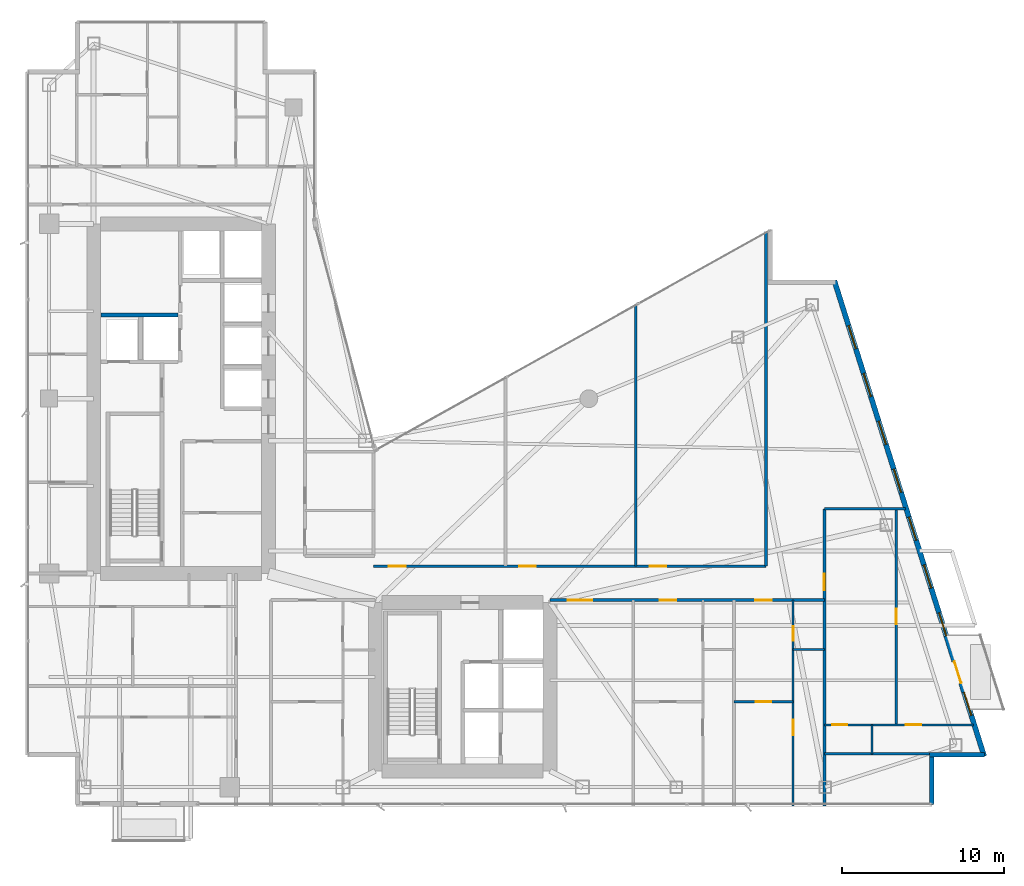
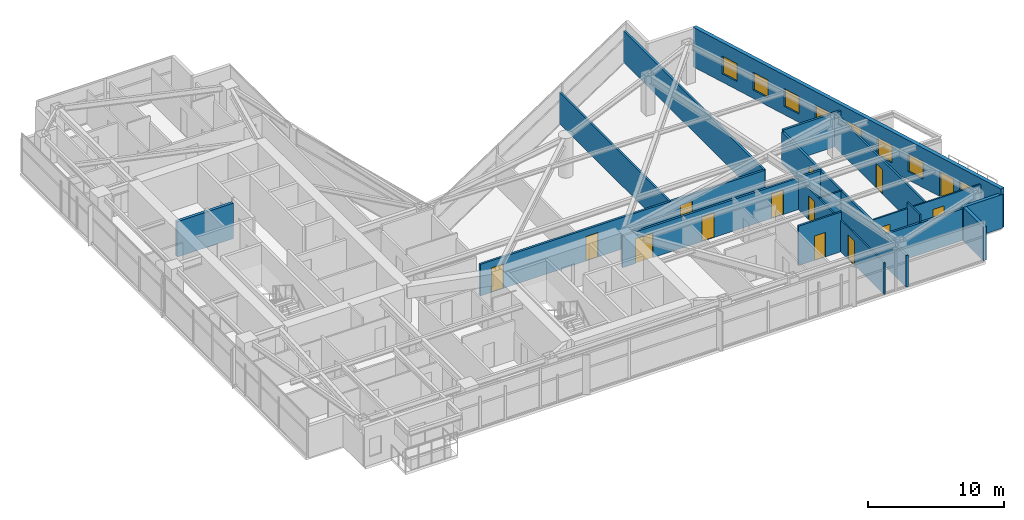
# One storey, part 24 of 29: 17 walls, 14 doors, 8 windows, 22 openings.
"""IFC4 building model written with IfcOpenShell, lengths in metres."""

from ifc_helpers import new_model, si_unit, direction, frame, frame_2d, origin, place, context, subcontext, project, spatial, rectangle, extrude, material, layer, layer_set, type_object, element, fill, save


model = new_model("IFC4")

# Units and contexts
model_context = context("Model", 3, precision=1e-05, world=origin(), true_north=direction((0.0, 1.0)))
body_context = subcontext(model_context, "Body", "Model", "MODEL_VIEW")
ifc_project = project(units=[si_unit("LENGTHUNIT", "METRE"), si_unit("AREAUNIT", "SQUARE_METRE"), si_unit("VOLUMEUNIT", "CUBIC_METRE"), si_unit("PLANEANGLEUNIT", "RADIAN"), si_unit("MASSUNIT", "GRAM", prefix="KILO")], contexts=[model_context])

# Site, building, storey
site_placement = place(None, origin())
site = spatial("IfcSite", under=ifc_project, at=site_placement, CompositionType="ELEMENT")
building_placement = place(site_placement, origin())
building = spatial("IfcBuilding", under=site, at=building_placement, Name="Calvorn Quay Hotel", CompositionType="ELEMENT")
storey_placement = place(building_placement, frame((0.0, 0.0, 124.0)))
storey = spatial("IfcBuildingStorey", under=building, at=storey_placement, Name="L30", CompositionType="ELEMENT", Elevation=124.0)

# Wall, openings, doors
ifc_material_1 = material(Name="Acoustic Fireboard Steel-Stud Partition", Category="steel")
ifc_layer_1 = layer(ifc_material_1, 0.179931640625)
ifc_layer_set_1 = layer_set([ifc_layer_1], Name="WL-CORR-FIRE-180")
wall_type_1 = type_object("IfcWallType", Name="WL-CORR-FIRE-180", PredefinedType="PARTITIONING", material=ifc_layer_set_1)
wall_1_placement = place(storey_placement, frame((32.39990234375, 15.14990234375, 0.0), z_axis=(0.0, 0.0, 1.0), x_axis=(1.0, 0.0, 0.0)))
wall_1 = element("IfcWall", 1, at=wall_1_placement, inside=storey, type_object=wall_type_1, Name="Partition Wall L30-WL-CORR-SE-S", PredefinedType="PARTITIONING", context=body_context, shape_type="SweptSolid", body=[
    extrude(rectangle(XDim=16.9501953125, YDim=0.179931640625, at=frame_2d((8.47509765625, 0.0))), origin(), (0.0, 0.0, 1.0), 2.840087890625),
])
opening_1_placement = place(wall_1_placement, frame((1.10009765625, 0.0, 0.0)))
opening_1 = element("IfcOpeningElement", 2, at=opening_1_placement, cuts=wall_1, Name="Opening D-L30-SEM", PredefinedType="OPENING", context=body_context, shape_type="SweptSolid", body=[
    extrude(rectangle(XDim=1.5, YDim=2.219970703125, at=frame_2d((0.75, 1.10986328125))), frame((0.0, 0.099853515625, 0.0), z_axis=(0.0, -1.0, 0.0), x_axis=(1.0, 0.0, 0.0)), (0.0, 0.0, 1.0), 0.199951171875),
])
opening_2_placement = place(wall_1_placement, frame((6.780029296875, 0.0, 0.0)))
opening_2 = element("IfcOpeningElement", 3, at=opening_2_placement, cuts=wall_1, Name="Opening D-L30-U06", PredefinedType="OPENING", context=body_context, shape_type="SweptSolid", body=[
    extrude(rectangle(XDim=1.02001953125, YDim=2.199951171875, at=frame_2d((0.510009765625, 1.10009765625))), frame((0.0, 0.099853515625, 0.0), z_axis=(0.0, -1.0, 0.0), x_axis=(1.0, 0.0, 0.0)), (0.0, 0.0, 1.0), 0.199951171875),
])
opening_3_placement = place(wall_1_placement, frame((12.68994140625, 0.0, 0.0)))
opening_3 = element("IfcOpeningElement", 4, at=opening_3_placement, cuts=wall_1, Name="Opening D-L30-U07", PredefinedType="OPENING", context=body_context, shape_type="SweptSolid", body=[
    extrude(rectangle(XDim=1.02001953125, YDim=2.199951171875, at=frame_2d((0.510009765625, 1.10009765625))), frame((0.0, 0.099853515625, 0.0), z_axis=(0.0, -1.0, 0.0), x_axis=(1.0, 0.0, 0.0)), (0.0, 0.0, 1.0), 0.199951171875),
])
ifc_material_2 = material(Name="Solid-Core Walnut Veneer Hotel Fire Door")
door_type_1 = type_object("IfcDoorType", Name="DR-GUEST-ENTRY-1020", OperationType="NOTDEFINED", PredefinedType="DOOR", material=ifc_material_2)
door_1_placement = place(opening_2_placement, origin())
door_1 = element("IfcDoor", 5, at=door_1_placement, inside=storey, type_object=door_type_1, Name="South-East Unit Door U06 (L30)", OperationType="SINGLE_SWING_RIGHT", OverallHeight=2.199951171875, OverallWidth=1.02001953125, PredefinedType="DOOR", context=body_context, shape_type="SweptSolid", body=[
    extrude(rectangle(XDim=1.02001953125, YDim=2.199951171875, at=frame_2d((0.510009765625, 1.10009765625))), frame((0.0, 0.02490234375, 0.0), z_axis=(0.0, -1.0, 0.0), x_axis=(1.0, 0.0, 0.0)), (0.0, 0.0, 1.0), 0.050048828125),
])
fill(opening_2, door_1)
door_2_placement = place(opening_3_placement, origin())
door_2 = element("IfcDoor", 6, at=door_2_placement, inside=storey, type_object=door_type_1, Name="South-East Unit Door U07 (L30)", OperationType="SINGLE_SWING_LEFT", OverallHeight=2.199951171875, OverallWidth=1.02001953125, PredefinedType="DOOR", context=body_context, shape_type="SweptSolid", body=[
    extrude(rectangle(XDim=1.02001953125, YDim=2.199951171875, at=frame_2d((0.510009765625, 1.10009765625))), frame((0.0, 0.02490234375, 0.0), z_axis=(0.0, -1.0, 0.0), x_axis=(1.0, 0.0, 0.0)), (0.0, 0.0, 1.0), 0.050048828125),
])
fill(opening_3, door_2)
ifc_material_3 = material(Name="Solid-Core Walnut Double Suite Entry Door")
door_type_2 = type_object("IfcDoorType", Name="DR-SUITE-DBL-1500", OperationType="NOTDEFINED", PredefinedType="DOOR", material=ifc_material_3)
door_3_placement = place(opening_1_placement, origin())
door_3 = element("IfcDoor", 7, at=door_3_placement, inside=storey, type_object=door_type_2, Name="Conference Salon Door (L30)", OperationType="SINGLE_SWING_LEFT", OverallHeight=2.219970703125, OverallWidth=1.5, PredefinedType="DOOR", context=body_context, shape_type="SweptSolid", body=[
    extrude(rectangle(XDim=1.5, YDim=2.219970703125, at=frame_2d((0.75, 1.10986328125))), frame((0.0, 0.02490234375, 0.0), z_axis=(0.0, -1.0, 0.0), x_axis=(1.0, 0.0, 0.0)), (0.0, 0.0, 1.0), 0.050048828125),
])
fill(opening_1, door_3)

wall_2_placement = place(storey_placement, frame((21.5, 17.25, 0.0), z_axis=(0.0, 0.0, 1.0), x_axis=(1.0, 0.0, 0.0)))
wall_2 = element("IfcWall", 8, at=wall_2_placement, inside=storey, type_object=wall_type_1, Name="Partition Wall L30-WL-CORR-NE-N", PredefinedType="PARTITIONING", context=body_context, shape_type="SweptSolid", body=[
    extrude(rectangle(XDim=24.25, YDim=0.179931640625, at=frame_2d((12.125, 0.0))), origin(), (0.0, 0.0, 1.0), 2.840087890625),
])
opening_4_placement = place(wall_2_placement, frame((0.949951171875, 0.0, 0.0)))
opening_4 = element("IfcOpeningElement", 9, at=opening_4_placement, cuts=wall_2, Name="Opening D-L30-NS1", PredefinedType="OPENING", context=body_context, shape_type="SweptSolid", body=[
    extrude(rectangle(XDim=1.02001953125, YDim=2.199951171875, at=frame_2d((0.510009765625, 1.10009765625))), frame((0.0, 0.099853515625, 0.0), z_axis=(0.0, -1.0, 0.0), x_axis=(1.0, 0.0, 0.0)), (0.0, 0.0, 1.0), 0.199951171875),
])
opening_5_placement = place(wall_2_placement, frame((9.0, 0.0, 0.0)))
opening_5 = element("IfcOpeningElement", 10, at=opening_5_placement, cuts=wall_2, Name="Opening D-L30-NS2", PredefinedType="OPENING", context=body_context, shape_type="SweptSolid", body=[
    extrude(rectangle(XDim=1.02001953125, YDim=2.199951171875, at=frame_2d((0.510009765625, 1.10009765625))), frame((0.0, 0.099853515625, 0.0), z_axis=(0.0, -1.0, 0.0), x_axis=(1.0, 0.0, 0.0)), (0.0, 0.0, 1.0), 0.199951171875),
])
opening_6_placement = place(wall_2_placement, frame((17.050048828125, 0.0, 0.0)))
opening_6 = element("IfcOpeningElement", 11, at=opening_6_placement, cuts=wall_2, Name="Opening D-L30-NS3", PredefinedType="OPENING", context=body_context, shape_type="SweptSolid", body=[
    extrude(rectangle(XDim=1.02001953125, YDim=2.199951171875, at=frame_2d((0.510009765625, 1.10009765625))), frame((0.0, 0.099853515625, 0.0), z_axis=(0.0, -1.0, 0.0), x_axis=(1.0, 0.0, 0.0)), (0.0, 0.0, 1.0), 0.199951171875),
])
door_4_placement = place(opening_4_placement, origin())
door_4 = element("IfcDoor", 12, at=door_4_placement, inside=storey, type_object=door_type_1, Name="Conservatory Salon Door 1 (L30)", OperationType="SINGLE_SWING_RIGHT", OverallHeight=2.199951171875, OverallWidth=1.02001953125, PredefinedType="DOOR", context=body_context, shape_type="SweptSolid", body=[
    extrude(rectangle(XDim=1.02001953125, YDim=2.199951171875, at=frame_2d((0.510009765625, 1.10009765625))), frame((0.0, 0.02490234375, 0.0), z_axis=(0.0, -1.0, 0.0), x_axis=(1.0, 0.0, 0.0)), (0.0, 0.0, 1.0), 0.050048828125),
])
fill(opening_4, door_4)
door_5_placement = place(opening_5_placement, origin())
door_5 = element("IfcDoor", 13, at=door_5_placement, inside=storey, type_object=door_type_1, Name="Conservatory Salon Door 2 (L30)", OperationType="SINGLE_SWING_LEFT", OverallHeight=2.199951171875, OverallWidth=1.02001953125, PredefinedType="DOOR", context=body_context, shape_type="SweptSolid", body=[
    extrude(rectangle(XDim=1.02001953125, YDim=2.199951171875, at=frame_2d((0.510009765625, 1.10009765625))), frame((0.0, 0.02490234375, 0.0), z_axis=(0.0, -1.0, 0.0), x_axis=(1.0, 0.0, 0.0)), (0.0, 0.0, 1.0), 0.050048828125),
])
fill(opening_5, door_5)
door_6_placement = place(opening_6_placement, origin())
door_6 = element("IfcDoor", 14, at=door_6_placement, inside=storey, type_object=door_type_1, Name="Conservatory Salon Door 3 (L30)", OperationType="SINGLE_SWING_RIGHT", OverallHeight=2.199951171875, OverallWidth=1.02001953125, PredefinedType="DOOR", context=body_context, shape_type="SweptSolid", body=[
    extrude(rectangle(XDim=1.02001953125, YDim=2.199951171875, at=frame_2d((0.510009765625, 1.10009765625))), frame((0.0, 0.02490234375, 0.0), z_axis=(0.0, -1.0, 0.0), x_axis=(1.0, 0.0, 0.0)), (0.0, 0.0, 1.0), 0.050048828125),
])
fill(opening_6, door_6)

# Walls
wall_3_placement = place(storey_placement, frame((45.75, 17.25, 0.0), z_axis=(0.0, 0.0, 1.0), x_axis=(0.0, 1.0, 0.0)))
element("IfcWall", 15, at=wall_3_placement, inside=storey, type_object=wall_type_1, Name="Partition Wall L30-WL-NE-END-E", PredefinedType="PARTITIONING", context=body_context, shape_type="SweptSolid", body=[
    extrude(rectangle(XDim=20.68994140625, YDim=0.179931640625, at=frame_2d((10.344970703125, 0.0))), origin(), (0.0, 0.0, 1.0), 2.840087890625),
])
wall_4_placement = place(storey_placement, frame((49.35009765625, 5.659912109375, 0.0), z_axis=(0.0, 0.0, 1.0), x_axis=(1.0, 0.0, 0.0)))
element("IfcWall", 16, at=wall_4_placement, inside=storey, type_object=wall_type_1, Name="Partition Wall L30-WL-TIP-S", PredefinedType="PARTITIONING", context=body_context, shape_type="SweptSolid", body=[
    extrude(rectangle(XDim=6.64990234375, YDim=0.179931640625, at=frame_2d((3.324951171875, 0.0))), origin(), (0.0, 0.0, 1.0), 2.840087890625),
])
wall_5_placement = place(storey_placement, frame((49.35009765625, 20.800048828125, 0.0), z_axis=(0.0, 0.0, 1.0), x_axis=(1.0, 0.0, 0.0)))
element("IfcWall", 17, at=wall_5_placement, inside=storey, type_object=wall_type_1, Name="Partition Wall L30-WL-TIP-DIV", PredefinedType="PARTITIONING", context=body_context, shape_type="SweptSolid", body=[
    extrude(rectangle(XDim=5.0, YDim=0.179931640625, at=frame_2d((2.5, 0.0))), origin(), (0.0, 0.0, 1.0), 3.0400390625),
])

# Wall, opening, door
wall_6_placement = place(storey_placement, frame((49.35009765625, 2.43994140625, 0.0), z_axis=(0.0, 0.0, 1.0), x_axis=(0.0, 1.0, 0.0)))
wall_6 = element("IfcWall", 18, at=wall_6_placement, inside=storey, type_object=wall_type_1, Name="Partition Wall L30-WL-CORR-TIP-E1", PredefinedType="PARTITIONING", context=body_context, shape_type="SweptSolid", body=[
    extrude(rectangle(XDim=18.360107421875, YDim=0.179931640625, at=frame_2d((9.18017578125, 0.0))), origin(), (0.0, 0.0, 1.0), 2.840087890625),
])
opening_7_placement = place(wall_6_placement, frame((13.330078125, 0.0, 0.0)))
opening_7 = element("IfcOpeningElement", 19, at=opening_7_placement, cuts=wall_6, Name="Opening D-L30-U08", PredefinedType="OPENING", context=body_context, shape_type="SweptSolid", body=[
    extrude(rectangle(XDim=1.02001953125, YDim=2.199951171875, at=frame_2d((0.510009765625, 1.10009765625))), frame((0.0, 0.099853515625, 0.0), z_axis=(0.0, -1.0, 0.0), x_axis=(1.0, 0.0, 0.0)), (0.0, 0.0, 1.0), 0.199951171875),
])
door_7_placement = place(opening_7_placement, origin())
door_7 = element("IfcDoor", 20, at=door_7_placement, inside=storey, type_object=door_type_1, Name="Terrace Suite Door U08 (L30)", OperationType="SINGLE_SWING_LEFT", OverallHeight=2.199951171875, OverallWidth=1.02001953125, PredefinedType="DOOR", context=body_context, shape_type="SweptSolid", body=[
    extrude(rectangle(XDim=1.02001953125, YDim=2.199951171875, at=frame_2d((0.510009765625, 1.10009765625))), frame((0.0, 0.02490234375, 0.0), z_axis=(0.0, -1.0, 0.0), x_axis=(1.0, 0.0, 0.0)), (0.0, 0.0, 1.0), 0.050048828125),
])
fill(opening_7, door_7)

# Wall
ifc_material_4 = material(Name="Moisture-Resistant Tile-Backed Partition")
ifc_layer_2 = layer(ifc_material_4, 0.125)
ifc_layer_set_2 = layer_set([ifc_layer_2], Name="WL-ENSUITE-125")
wall_type_2 = type_object("IfcWallType", Name="WL-ENSUITE-125", PredefinedType="PARTITIONING", material=ifc_layer_set_2)
wall_7_placement = place(storey_placement, frame((47.419921875, 12.10009765625, 0.0), z_axis=(0.0, 0.0, 1.0), x_axis=(1.0, 0.0, 0.0)))
element("IfcWall", 21, at=wall_7_placement, inside=storey, type_object=wall_type_2, Name="Partition Wall L30-WL-U07-BDV", PredefinedType="PARTITIONING", context=body_context, shape_type="SweptSolid", body=[
    extrude(rectangle(XDim=1.93017578125, YDim=0.125, at=frame_2d((0.965087890625, 0.0))), origin(), (0.0, 0.0, 1.0), 2.840087890625),
])

# Wall, openings, doors
wall_8_placement = place(storey_placement, frame((47.419921875, 2.43994140625, 0.0), z_axis=(0.0, 0.0, 1.0), x_axis=(0.0, 1.0, 0.0)))
wall_8 = element("IfcWall", 22, at=wall_8_placement, inside=storey, type_object=wall_type_2, Name="Partition Wall L30-WL-U07-BV", PredefinedType="PARTITIONING", context=body_context, shape_type="SweptSolid", body=[
    extrude(rectangle(XDim=12.7099609375, YDim=0.125, at=frame_2d((6.35498046875, 0.0))), origin(), (0.0, 0.0, 1.0), 2.840087890625),
])
opening_8_placement = place(wall_8_placement, frame((4.35009765625, 0.0, 0.0)))
opening_8 = element("IfcOpeningElement", 23, at=opening_8_placement, cuts=wall_8, Name="Opening D-L30-S07", PredefinedType="OPENING", context=body_context, shape_type="SweptSolid", body=[
    extrude(rectangle(XDim=0.9599609375, YDim=2.199951171875, at=frame_2d((0.47998046875, 1.10009765625))), frame((0.0, 0.072509765625, 0.0), z_axis=(0.0, -1.0, 0.0), x_axis=(1.0, 0.0, 0.0)), (0.0, 0.0, 1.0), 0.14501953125),
])
opening_9_placement = place(wall_8_placement, frame((10.2099609375, 0.0, 0.0)))
opening_9 = element("IfcOpeningElement", 24, at=opening_9_placement, cuts=wall_8, Name="Opening D-L30-E07", PredefinedType="OPENING", context=body_context, shape_type="SweptSolid", body=[
    extrude(rectangle(XDim=0.89990234375, YDim=2.14990234375, at=frame_2d((0.449951171875, 1.074951171875))), frame((0.0, 0.072509765625, 0.0), z_axis=(0.0, -1.0, 0.0), x_axis=(1.0, 0.0, 0.0)), (0.0, 0.0, 1.0), 0.14501953125),
])
ifc_material_5 = material(Name="Moisture-Sealed Timber En-Suite Door", Category="wood")
door_type_3 = type_object("IfcDoorType", Name="DR-ENSUITE-900", OperationType="NOTDEFINED", PredefinedType="DOOR", material=ifc_material_5)
door_8_placement = place(opening_9_placement, origin())
door_8 = element("IfcDoor", 25, at=door_8_placement, inside=storey, type_object=door_type_3, Name="En-Suite Door 07", OperationType="SINGLE_SWING_RIGHT", OverallHeight=2.14990234375, OverallWidth=0.89990234375, PredefinedType="DOOR", context=body_context, shape_type="SweptSolid", body=[
    extrude(rectangle(XDim=0.89990234375, YDim=2.14990234375, at=frame_2d((0.449951171875, 1.074951171875))), frame((0.0, 0.02490234375, 0.0), z_axis=(0.0, -1.0, 0.0), x_axis=(1.0, 0.0, 0.0)), (0.0, 0.0, 1.0), 0.050048828125),
])
fill(opening_9, door_8)
ifc_material_6 = material(Name="Solid Timber Internal Suite Door", Category="wood")
door_type_4 = type_object("IfcDoorType", Name="DR-SUITE-INT-960", OperationType="NOTDEFINED", PredefinedType="DOOR", material=ifc_material_6)
door_9_placement = place(opening_8_placement, origin())
door_9 = element("IfcDoor", 26, at=door_9_placement, inside=storey, type_object=door_type_4, Name="Harbour Tea Room Door 07", OperationType="SINGLE_SWING_LEFT", OverallHeight=2.199951171875, OverallWidth=0.9599609375, PredefinedType="DOOR", context=body_context, shape_type="SweptSolid", body=[
    extrude(rectangle(XDim=0.9599609375, YDim=2.199951171875, at=frame_2d((0.47998046875, 1.10009765625))), frame((0.0, 0.02490234375, 0.0), z_axis=(0.0, -1.0, 0.0), x_axis=(1.0, 0.0, 0.0)), (0.0, 0.0, 1.0), 0.050048828125),
])
fill(opening_8, door_9)

# Wall
wall_9_placement = place(storey_placement, frame((52.300048828125, 5.659912109375, 0.0), z_axis=(0.0, 0.0, 1.0), x_axis=(0.0, 1.0, 0.0)))
element("IfcWall", 27, at=wall_9_placement, inside=storey, type_object=wall_type_2, Name="Partition Wall L30-WL-U08-BDV", PredefinedType="PARTITIONING", context=body_context, shape_type="SweptSolid", body=[
    extrude(rectangle(XDim=1.7900390625, YDim=0.125, at=frame_2d((0.89501953125, 0.0))), origin(), (0.0, 0.0, 1.0), 3.56005859375),
])

# Wall, openings, doors
wall_10_placement = place(storey_placement, frame((49.35009765625, 7.449951171875, 0.0), z_axis=(0.0, 0.0, 1.0), x_axis=(1.0, 0.0, 0.0)))
wall_10 = element("IfcWall", 28, at=wall_10_placement, inside=storey, type_object=wall_type_2, Name="Partition Wall L30-WL-U08-BH", PredefinedType="PARTITIONING", context=body_context, shape_type="SweptSolid", body=[
    extrude(rectangle(XDim=9.2099609375, YDim=0.125, at=frame_2d((4.60498046875, 0.0))), origin(), (0.0, 0.0, 1.0), 3.0400390625),
])
opening_10_placement = place(wall_10_placement, frame((0.5, 0.0, 0.0)))
opening_10 = element("IfcOpeningElement", 29, at=opening_10_placement, cuts=wall_10, Name="Opening D-L30-E08", PredefinedType="OPENING", context=body_context, shape_type="SweptSolid", body=[
    extrude(rectangle(XDim=0.89990234375, YDim=2.14990234375, at=frame_2d((0.449951171875, 1.074951171875))), frame((0.0, 0.072509765625, 0.0), z_axis=(0.0, -1.0, 0.0), x_axis=(1.0, 0.0, 0.0)), (0.0, 0.0, 1.0), 0.14501953125),
])
opening_11_placement = place(wall_10_placement, frame((5.0400390625, 0.0, 0.0)))
opening_11 = element("IfcOpeningElement", 30, at=opening_11_placement, cuts=wall_10, Name="Opening D-L30-S08", PredefinedType="OPENING", context=body_context, shape_type="SweptSolid", body=[
    extrude(rectangle(XDim=0.9599609375, YDim=2.199951171875, at=frame_2d((0.47998046875, 1.10009765625))), frame((0.0, 0.072509765625, 0.0), z_axis=(0.0, -1.0, 0.0), x_axis=(1.0, 0.0, 0.0)), (0.0, 0.0, 1.0), 0.14501953125),
])
door_10_placement = place(opening_10_placement, origin())
door_10 = element("IfcDoor", 31, at=door_10_placement, inside=storey, type_object=door_type_3, Name="En-Suite Door 08", OperationType="SINGLE_SWING_LEFT", OverallHeight=2.14990234375, OverallWidth=0.89990234375, PredefinedType="DOOR", context=body_context, shape_type="SweptSolid", body=[
    extrude(rectangle(XDim=0.89990234375, YDim=2.14990234375, at=frame_2d((0.449951171875, 1.074951171875))), frame((0.0, 0.02490234375, 0.0), z_axis=(0.0, -1.0, 0.0), x_axis=(1.0, 0.0, 0.0)), (0.0, 0.0, 1.0), 0.050048828125),
])
fill(opening_10, door_10)
door_11_placement = place(opening_11_placement, origin())
door_11 = element("IfcDoor", 32, at=door_11_placement, inside=storey, type_object=door_type_4, Name="Harbour Tea Room Door 08", OperationType="SINGLE_SWING_RIGHT", OverallHeight=2.199951171875, OverallWidth=0.9599609375, PredefinedType="DOOR", context=body_context, shape_type="SweptSolid", body=[
    extrude(rectangle(XDim=0.9599609375, YDim=2.199951171875, at=frame_2d((0.47998046875, 1.10009765625))), frame((0.0, 0.02490234375, 0.0), z_axis=(0.0, -1.0, 0.0), x_axis=(1.0, 0.0, 0.0)), (0.0, 0.0, 1.0), 0.050048828125),
])
fill(opening_11, door_11)

# Walls
ifc_material_7 = material(Name="Concrete C40", Category="concrete")
ifc_layer_3 = layer(ifc_material_7, 0.320068359375)
ifc_layer_set_3 = layer_set([ifc_layer_3], Name="WL-EXT-SPANDREL-320")
wall_type_3 = type_object("IfcWallType", Name="WL-EXT-SPANDREL-320", PredefinedType="SOLIDWALL", material=ifc_layer_set_3)
wall_11_placement = place(storey_placement, frame((56.0, 2.52001953125, 0.0), z_axis=(0.0, 0.0, 1.0), x_axis=(0.0, 1.0, 0.0)))
element("IfcWall", 33, at=wall_11_placement, inside=storey, type_object=wall_type_3, Name="Notched Corner Spandrel L30-SE1", PredefinedType="SOLIDWALL", context=body_context, shape_type="SweptSolid", body=[
    extrude(rectangle(XDim=2.93994140625, YDim=0.280029296875, at=frame_2d((1.469970703125, 0.0))), origin(), (0.0, 0.0, 1.0), 3.0400390625),
])
wall_12_placement = place(storey_placement, frame((55.860107421875, 5.60009765625, 0.0), z_axis=(0.0, 0.0, 1.0), x_axis=(1.0, 0.0, 0.0)))
element("IfcWall", 34, at=wall_12_placement, inside=storey, type_object=wall_type_3, Name="Notched Corner Spandrel L30-SE2", PredefinedType="SOLIDWALL", context=body_context, shape_type="SweptSolid", body=[
    extrude(rectangle(XDim=3.3798828125, YDim=0.280029296875, at=frame_2d((1.68994140625, 0.0))), origin(), (0.0, 0.0, 1.0), 3.0400390625),
])

# Wall, openings, door, windows
wall_13_placement = place(storey_placement, frame((59.22998046875, 5.5048828125, 0.0), z_axis=(0.0, 0.0, 1.0), x_axis=(-0.300509063924, 0.953778958931, 0.0)))
wall_13 = element("IfcWall", 35, at=wall_13_placement, inside=storey, type_object=wall_type_3, Name="East Stepped Waterfront Exterior Wall (L30)", PredefinedType="SOLIDWALL", context=body_context, shape_type="SweptSolid", body=[
    extrude(rectangle(XDim=30.814453125, YDim=0.320068359375, at=frame_2d((15.4072265625, 0.0))), origin(), (0.0, 0.0, 1.0), 3.56005859375),
])
opening_12_placement = place(wall_13_placement, frame((4.7470703125, 0.0, 0.0)))
opening_12 = element("IfcOpeningElement", 36, at=opening_12_placement, cuts=wall_13, Name="Opening DB-L30-1", PredefinedType="OPENING", context=body_context, shape_type="SweptSolid", body=[
    extrude(rectangle(XDim=1.39990234375, YDim=2.25, at=frame_2d((0.699951171875, 1.125))), frame((0.0, 0.169921875, 0.0), z_axis=(0.0, -1.0, 0.0), x_axis=(1.0, 0.0, 0.0)), (0.0, 0.0, 1.0), 0.340087890625),
])
opening_13_placement = place(wall_13_placement, frame((2.64990234375, 0.0, 0.75)))
opening_13 = element("IfcOpeningElement", 37, at=opening_13_placement, cuts=wall_13, Name="Opening WG-L30-E1", PredefinedType="OPENING", context=body_context, shape_type="SweptSolid", body=[
    extrude(rectangle(XDim=1.5, YDim=1.60009765625, at=frame_2d((0.75, 0.800048828125))), frame((0.0, 0.169921875, 0.0), z_axis=(0.0, -1.0, 0.0), x_axis=(1.0, 0.0, 0.0)), (0.0, 0.0, 1.0), 0.340087890625),
])
opening_14_placement = place(wall_13_placement, frame((7.800048828125, 0.0, 0.75)))
opening_14 = element("IfcOpeningElement", 38, at=opening_14_placement, cuts=wall_13, Name="Opening WG-L30-E2", PredefinedType="OPENING", context=body_context, shape_type="SweptSolid", body=[
    extrude(rectangle(XDim=1.5, YDim=1.60009765625, at=frame_2d((0.75, 0.800048828125))), frame((0.0, 0.169921875, 0.0), z_axis=(0.0, -1.0, 0.0), x_axis=(1.0, 0.0, 0.0)), (0.0, 0.0, 1.0), 0.340087890625),
])
opening_15_placement = place(wall_13_placement, frame((10.89990234375, 0.0, 0.75)))
opening_15 = element("IfcOpeningElement", 39, at=opening_15_placement, cuts=wall_13, Name="Opening WG-L30-E3", PredefinedType="OPENING", context=body_context, shape_type="SweptSolid", body=[
    extrude(rectangle(XDim=1.5, YDim=1.60009765625, at=frame_2d((0.75, 0.800048828125))), frame((0.0, 0.169921875, 0.0), z_axis=(0.0, -1.0, 0.0), x_axis=(1.0, 0.0, 0.0)), (0.0, 0.0, 1.0), 0.340087890625),
])
opening_16_placement = place(wall_13_placement, frame((14.0, 0.0, 0.75)))
opening_16 = element("IfcOpeningElement", 40, at=opening_16_placement, cuts=wall_13, Name="Opening WG-L30-E4", PredefinedType="OPENING", context=body_context, shape_type="SweptSolid", body=[
    extrude(rectangle(XDim=1.5, YDim=1.60009765625, at=frame_2d((0.75, 0.800048828125))), frame((0.0, 0.169921875, 0.0), z_axis=(0.0, -1.0, 0.0), x_axis=(1.0, 0.0, 0.0)), (0.0, 0.0, 1.0), 0.340087890625),
])
opening_17_placement = place(wall_13_placement, frame((17.10009765625, 0.0, 0.75)))
opening_17 = element("IfcOpeningElement", 41, at=opening_17_placement, cuts=wall_13, Name="Opening WG-L30-E5", PredefinedType="OPENING", context=body_context, shape_type="SweptSolid", body=[
    extrude(rectangle(XDim=1.5, YDim=1.60009765625, at=frame_2d((0.75, 0.800048828125))), frame((0.0, 0.169921875, 0.0), z_axis=(0.0, -1.0, 0.0), x_axis=(1.0, 0.0, 0.0)), (0.0, 0.0, 1.0), 0.340087890625),
])
opening_18_placement = place(wall_13_placement, frame((20.199951171875, 0.0, 0.75)))
opening_18 = element("IfcOpeningElement", 42, at=opening_18_placement, cuts=wall_13, Name="Opening WG-L30-E6", PredefinedType="OPENING", context=body_context, shape_type="SweptSolid", body=[
    extrude(rectangle(XDim=1.5, YDim=1.60009765625, at=frame_2d((0.75, 0.800048828125))), frame((0.0, 0.169921875, 0.0), z_axis=(0.0, -1.0, 0.0), x_axis=(1.0, 0.0, 0.0)), (0.0, 0.0, 1.0), 0.340087890625),
])
opening_19_placement = place(wall_13_placement, frame((23.300048828125, 0.0, 0.75)))
opening_19 = element("IfcOpeningElement", 43, at=opening_19_placement, cuts=wall_13, Name="Opening WG-L30-E7", PredefinedType="OPENING", context=body_context, shape_type="SweptSolid", body=[
    extrude(rectangle(XDim=1.5, YDim=1.60009765625, at=frame_2d((0.75, 0.800048828125))), frame((0.0, 0.169921875, 0.0), z_axis=(0.0, -1.0, 0.0), x_axis=(1.0, 0.0, 0.0)), (0.0, 0.0, 1.0), 0.340087890625),
])
opening_20_placement = place(wall_13_placement, frame((26.39990234375, 0.0, 0.75)))
opening_20 = element("IfcOpeningElement", 44, at=opening_20_placement, cuts=wall_13, Name="Opening WG-L30-E8", PredefinedType="OPENING", context=body_context, shape_type="SweptSolid", body=[
    extrude(rectangle(XDim=1.5, YDim=1.60009765625, at=frame_2d((0.75, 0.800048828125))), frame((0.0, 0.169921875, 0.0), z_axis=(0.0, -1.0, 0.0), x_axis=(1.0, 0.0, 0.0)), (0.0, 0.0, 1.0), 0.340087890625),
])
ifc_material_8 = material(Name="Typhoon-Rated Low-E Aluminium Terrace Door", Category="aluminium")
door_type_5 = type_object("IfcDoorType", Name="DR-BALCONY-GLZ-1400", OperationType="NOTDEFINED", PredefinedType="DOOR", material=ifc_material_8)
door_12_placement = place(opening_12_placement, origin())
door_12 = element("IfcDoor", 45, at=door_12_placement, inside=storey, type_object=door_type_5, Name="Tree Balcony Terrace Door L30-BALC-E", OperationType="SINGLE_SWING_LEFT", OverallHeight=2.25, OverallWidth=1.39990234375, PredefinedType="DOOR", context=body_context, shape_type="SweptSolid", body=[
    extrude(rectangle(XDim=1.39990234375, YDim=2.25, at=frame_2d((0.699951171875, 1.125))), frame((0.0, 0.02490234375, 0.0), z_axis=(0.0, -1.0, 0.0), x_axis=(1.0, 0.0, 0.0)), (0.0, 0.0, 1.0), 0.050048828125),
])
fill(opening_12, door_12)
ifc_material_9 = material(Name="Self-Closing Class B Fire Window")
window_type = type_object("IfcWindowType", Name="WIN-REFUGE-1500x1600", PartitioningType="SINGLE_PANEL", PredefinedType="WINDOW", material=ifc_material_9)
window_1_placement = place(opening_13_placement, origin())
window_1 = element("IfcWindow", 46, at=window_1_placement, inside=storey, type_object=window_type, Name="East Facade Window L30-E1", OverallHeight=1.60009765625, OverallWidth=1.5, PartitioningType="SINGLE_PANEL", PredefinedType="WINDOW", context=body_context, shape_type="SweptSolid", body=[
    extrude(rectangle(XDim=1.5, YDim=1.60009765625, at=frame_2d((0.75, 0.800048828125))), frame((0.0, 0.030029296875, 0.0), z_axis=(0.0, -1.0, 0.0), x_axis=(1.0, 0.0, 0.0)), (0.0, 0.0, 1.0), 0.06005859375),
])
fill(opening_13, window_1)
window_2_placement = place(opening_14_placement, origin())
window_2 = element("IfcWindow", 47, at=window_2_placement, inside=storey, type_object=window_type, Name="East Facade Window L30-E2", OverallHeight=1.60009765625, OverallWidth=1.5, PartitioningType="SINGLE_PANEL", PredefinedType="WINDOW", context=body_context, shape_type="SweptSolid", body=[
    extrude(rectangle(XDim=1.5, YDim=1.60009765625, at=frame_2d((0.75, 0.800048828125))), frame((0.0, 0.030029296875, 0.0), z_axis=(0.0, -1.0, 0.0), x_axis=(1.0, 0.0, 0.0)), (0.0, 0.0, 1.0), 0.06005859375),
])
fill(opening_14, window_2)
window_3_placement = place(opening_15_placement, origin())
window_3 = element("IfcWindow", 48, at=window_3_placement, inside=storey, type_object=window_type, Name="East Facade Window L30-E3", OverallHeight=1.60009765625, OverallWidth=1.5, PartitioningType="SINGLE_PANEL", PredefinedType="WINDOW", context=body_context, shape_type="SweptSolid", body=[
    extrude(rectangle(XDim=1.5, YDim=1.60009765625, at=frame_2d((0.75, 0.800048828125))), frame((0.0, 0.030029296875, 0.0), z_axis=(0.0, -1.0, 0.0), x_axis=(1.0, 0.0, 0.0)), (0.0, 0.0, 1.0), 0.06005859375),
])
fill(opening_15, window_3)
window_4_placement = place(opening_16_placement, origin())
window_4 = element("IfcWindow", 49, at=window_4_placement, inside=storey, type_object=window_type, Name="East Facade Window L30-E4", OverallHeight=1.60009765625, OverallWidth=1.5, PartitioningType="SINGLE_PANEL", PredefinedType="WINDOW", context=body_context, shape_type="SweptSolid", body=[
    extrude(rectangle(XDim=1.5, YDim=1.60009765625, at=frame_2d((0.75, 0.800048828125))), frame((0.0, 0.030029296875, 0.0), z_axis=(0.0, -1.0, 0.0), x_axis=(1.0, 0.0, 0.0)), (0.0, 0.0, 1.0), 0.06005859375),
])
fill(opening_16, window_4)
window_5_placement = place(opening_17_placement, origin())
window_5 = element("IfcWindow", 50, at=window_5_placement, inside=storey, type_object=window_type, Name="East Facade Window L30-E5", OverallHeight=1.60009765625, OverallWidth=1.5, PartitioningType="SINGLE_PANEL", PredefinedType="WINDOW", context=body_context, shape_type="SweptSolid", body=[
    extrude(rectangle(XDim=1.5, YDim=1.60009765625, at=frame_2d((0.75, 0.800048828125))), frame((0.0, 0.030029296875, 0.0), z_axis=(0.0, -1.0, 0.0), x_axis=(1.0, 0.0, 0.0)), (0.0, 0.0, 1.0), 0.06005859375),
])
fill(opening_17, window_5)
window_6_placement = place(opening_18_placement, origin())
window_6 = element("IfcWindow", 51, at=window_6_placement, inside=storey, type_object=window_type, Name="East Facade Window L30-E6", OverallHeight=1.60009765625, OverallWidth=1.5, PartitioningType="SINGLE_PANEL", PredefinedType="WINDOW", context=body_context, shape_type="SweptSolid", body=[
    extrude(rectangle(XDim=1.5, YDim=1.60009765625, at=frame_2d((0.75, 0.800048828125))), frame((0.0, 0.030029296875, 0.0), z_axis=(0.0, -1.0, 0.0), x_axis=(1.0, 0.0, 0.0)), (0.0, 0.0, 1.0), 0.06005859375),
])
fill(opening_18, window_6)
window_7_placement = place(opening_19_placement, origin())
window_7 = element("IfcWindow", 52, at=window_7_placement, inside=storey, type_object=window_type, Name="East Facade Window L30-E7", OverallHeight=1.60009765625, OverallWidth=1.5, PartitioningType="SINGLE_PANEL", PredefinedType="WINDOW", context=body_context, shape_type="SweptSolid", body=[
    extrude(rectangle(XDim=1.5, YDim=1.60009765625, at=frame_2d((0.75, 0.800048828125))), frame((0.0, 0.030029296875, 0.0), z_axis=(0.0, -1.0, 0.0), x_axis=(1.0, 0.0, 0.0)), (0.0, 0.0, 1.0), 0.06005859375),
])
fill(opening_19, window_7)
window_8_placement = place(opening_20_placement, origin())
window_8 = element("IfcWindow", 53, at=window_8_placement, inside=storey, type_object=window_type, Name="East Facade Window L30-E8", OverallHeight=1.60009765625, OverallWidth=1.5, PartitioningType="SINGLE_PANEL", PredefinedType="WINDOW", context=body_context, shape_type="SweptSolid", body=[
    extrude(rectangle(XDim=1.5, YDim=1.60009765625, at=frame_2d((0.75, 0.800048828125))), frame((0.0, 0.030029296875, 0.0), z_axis=(0.0, -1.0, 0.0), x_axis=(1.0, 0.0, 0.0)), (0.0, 0.0, 1.0), 0.06005859375),
])
fill(opening_20, window_8)

# Wall, opening, door
ifc_material_10 = material(Name="Double-Stud Acoustic Gypsum Partition")
ifc_layer_4 = layer(ifc_material_10, 0.159912109375)
ifc_layer_set_4 = layer_set([ifc_layer_4], Name="WL-INTERSUITE-160")
wall_type_4 = type_object("IfcWallType", Name="WL-INTERSUITE-160", PredefinedType="PARTITIONING", material=ifc_layer_set_4)
wall_14_placement = place(storey_placement, frame((43.77001953125, 8.8798828125, 0.0), z_axis=(0.0, 0.0, 1.0), x_axis=(1.0, 0.0, 0.0)))
wall_14 = element("IfcWall", 54, at=wall_14_placement, inside=storey, type_object=wall_type_4, Name="Partition Wall L30-WL-U07-MSP", PredefinedType="PARTITIONING", context=body_context, shape_type="SweptSolid", body=[
    extrude(rectangle(XDim=3.64990234375, YDim=0.159912109375, at=frame_2d((1.824951171875, 0.0))), origin(), (0.0, 0.0, 1.0), 3.56005859375),
])
opening_21_placement = place(wall_14_placement, frame((1.340087890625, 0.0, 0.0)))
opening_21 = element("IfcOpeningElement", 55, at=opening_21_placement, cuts=wall_14, Name="Opening D-L30-M07", PredefinedType="OPENING", context=body_context, shape_type="SweptSolid", body=[
    extrude(rectangle(XDim=0.9599609375, YDim=2.199951171875, at=frame_2d((0.47998046875, 1.10009765625))), frame((0.0, 0.08984375, 0.0), z_axis=(0.0, -1.0, 0.0), x_axis=(1.0, 0.0, 0.0)), (0.0, 0.0, 1.0), 0.179931640625),
])
door_13_placement = place(opening_21_placement, origin())
door_13 = element("IfcDoor", 56, at=door_13_placement, inside=storey, type_object=door_type_4, Name="Suite Bedroom Door 07", OperationType="SINGLE_SWING_LEFT", OverallHeight=2.199951171875, OverallWidth=0.9599609375, PredefinedType="DOOR", context=body_context, shape_type="SweptSolid", body=[
    extrude(rectangle(XDim=0.9599609375, YDim=2.199951171875, at=frame_2d((0.47998046875, 1.10009765625))), frame((0.0, 0.02490234375, 0.0), z_axis=(0.0, -1.0, 0.0), x_axis=(1.0, 0.0, 0.0)), (0.0, 0.0, 1.0), 0.050048828125),
])
fill(opening_21, door_13)

# Wall
wall_15_placement = place(storey_placement, frame((37.699951171875, 17.25, 0.0), z_axis=(0.0, 0.0, 1.0), x_axis=(0.0, 1.0, 0.0)))
element("IfcWall", 57, at=wall_15_placement, inside=storey, type_object=wall_type_4, Name="Partition Wall L30-WL-NE-DIV-2", PredefinedType="PARTITIONING", context=body_context, shape_type="SweptSolid", body=[
    extrude(rectangle(XDim=16.199951171875, YDim=0.159912109375, at=frame_2d((8.10009765625, 0.0))), origin(), (0.0, 0.0, 1.0), 2.840087890625),
])

# Wall, opening, door
wall_16_placement = place(storey_placement, frame((53.800048828125, 7.449951171875, 0.0), z_axis=(0.0, 0.0, 1.0), x_axis=(0.0, 1.0, 0.0)))
wall_16 = element("IfcWall", 58, at=wall_16_placement, inside=storey, type_object=wall_type_4, Name="Partition Wall L30-WL-U08-MSP", PredefinedType="PARTITIONING", context=body_context, shape_type="SweptSolid", body=[
    extrude(rectangle(XDim=13.35009765625, YDim=0.159912109375, at=frame_2d((6.675048828125, 0.0))), origin(), (0.0, 0.0, 1.0), 3.0400390625),
])
opening_22_placement = place(wall_16_placement, frame((6.199951171875, 0.0, 0.0)))
opening_22 = element("IfcOpeningElement", 59, at=opening_22_placement, cuts=wall_16, Name="Opening D-L30-M08", PredefinedType="OPENING", context=body_context, shape_type="SweptSolid", body=[
    extrude(rectangle(XDim=0.9599609375, YDim=2.199951171875, at=frame_2d((0.47998046875, 1.10009765625))), frame((0.0, 0.08984375, 0.0), z_axis=(0.0, -1.0, 0.0), x_axis=(1.0, 0.0, 0.0)), (0.0, 0.0, 1.0), 0.179931640625),
])
door_14_placement = place(opening_22_placement, origin())
door_14 = element("IfcDoor", 60, at=door_14_placement, inside=storey, type_object=door_type_4, Name="Suite Bedroom Door 08", OperationType="SINGLE_SWING_LEFT", OverallHeight=2.199951171875, OverallWidth=0.9599609375, PredefinedType="DOOR", context=body_context, shape_type="SweptSolid", body=[
    extrude(rectangle(XDim=0.9599609375, YDim=2.199951171875, at=frame_2d((0.47998046875, 1.10009765625))), frame((0.0, 0.02490234375, 0.0), z_axis=(0.0, -1.0, 0.0), x_axis=(1.0, 0.0, 0.0)), (0.0, 0.0, 1.0), 0.050048828125),
])
fill(opening_22, door_14)

# Wall
ifc_material_11 = material(Name="Concrete C40", Category="concrete")
ifc_layer_5 = layer(ifc_material_11, 0.239990234375)
ifc_layer_set_5 = layer_set([ifc_layer_5], Name="WL-SHAFT-240")
wall_type_5 = type_object("IfcWallType", Name="WL-SHAFT-240", PredefinedType="SOLIDWALL", material=ifc_layer_set_5)
wall_17_placement = place(storey_placement, frame((4.64501953125, 32.780029296875, 0.0), z_axis=(0.0, 0.0, 1.0), x_axis=(1.0, 0.0, 0.0)))
element("IfcWall", 61, at=wall_17_placement, inside=storey, type_object=wall_type_5, Name="Partition Wall L30-WL-CWW-SLW-N", PredefinedType="SOLIDWALL", context=body_context, shape_type="SweptSolid", body=[
    extrude(rectangle(XDim=4.77490234375, YDim=0.239990234375, at=frame_2d((2.387451171875, 0.0))), origin(), (0.0, 0.0, 1.0), 3.18994140625),
])

save(model, "model.ifc")
